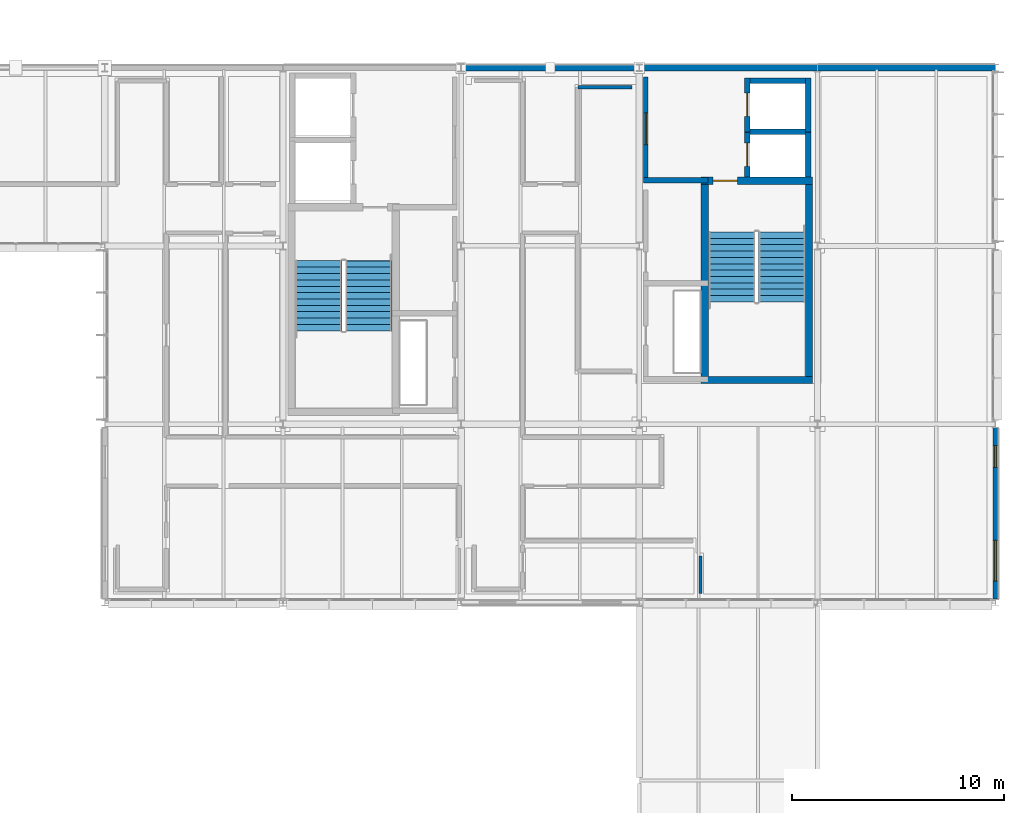
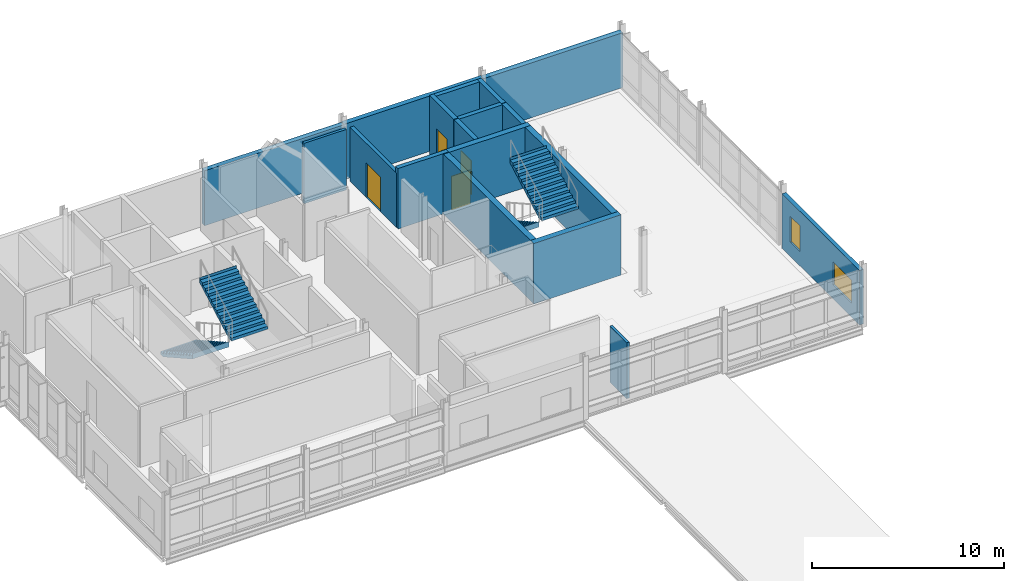
# One storey, part 50 of 57: 18 walls, 4 doors, 4 stair flights, 2 windows, 6 openings, 2 elements without a shape of their own.
"""IFC4 building model written with IfcOpenShell, lengths in metres."""

from ifc_helpers import new_model, si_unit, direction, frame, frame_2d, origin, place, context, subcontext, project, spatial, polyline, rectangle, outline, extrude, material, layer, layer_set, type_object, element, fill, aggregate, save


model = new_model("IFC4")

# Units and contexts
model_context = context("Model", 3, precision=1e-05, world=origin(), true_north=direction((0.0, 1.0)))
body_context = subcontext(model_context, "Body", "Model", "MODEL_VIEW")
ifc_project = project(units=[si_unit("LENGTHUNIT", "METRE"), si_unit("AREAUNIT", "SQUARE_METRE"), si_unit("VOLUMEUNIT", "CUBIC_METRE"), si_unit("PLANEANGLEUNIT", "RADIAN"), si_unit("MASSUNIT", "GRAM", prefix="KILO")], contexts=[model_context])

# Site, building, storey
site_placement = place(None, origin())
site = spatial("IfcSite", under=ifc_project, at=site_placement, CompositionType="ELEMENT")
building_placement = place(site_placement, origin())
building = spatial("IfcBuilding", under=site, at=building_placement, Name="Mersafa Astral City Hall", CompositionType="ELEMENT")
storey_placement = place(building_placement, frame((0.0, 0.0, 26.10009765625)))
storey = spatial("IfcBuildingStorey", under=building, at=storey_placement, Name="L06", CompositionType="ELEMENT", Elevation=26.10009765625)

# Wall, openings, windows
ifc_material_1 = material(Name="Precast concrete C40/50 insulated terracotta spandrel", Category="masonry")
ifc_layer_1 = layer(ifc_material_1, 0.235107421875, Name="Precast concrete C40/50 insulated terracotta spandrel")
ifc_layer_set_1 = layer_set([ifc_layer_1], Name="Precast concrete C40/50 insulated terracotta spandrel — ENV-WAL-EXT-235")
wall_type_1 = type_object("IfcWallType", Name="ENV-WAL-EXT-235", PredefinedType="STANDARD", material=ifc_layer_set_1)
wall_1_placement = place(storey_placement, frame((184.800048828125, 100.946044921875, 0.0), z_axis=(0.0, 0.0, 1.0), x_axis=(0.0, 1.0, 0.0)))
wall_1 = element("IfcWall", 1, at=wall_1_placement, inside=storey, type_object=wall_type_1, Name="L06 Limestone-clad exterior wall 365", PredefinedType="STANDARD", context=body_context, shape_type="SweptSolid", body=[
    extrude(rectangle(XDim=8.087890625, YDim=0.235107421875, at=frame_2d((4.0439453125, 0.0))), origin(), (0.0, 0.0, 1.0), 3.471923828125),
])
opening_1_placement = place(wall_1_placement, frame((0.85009765625, 0.0, 0.89990234375)))
opening_1 = element("IfcOpeningElement", 2, at=opening_1_placement, cuts=wall_1, Name="Opening W-30", PredefinedType="OPENING", context=body_context, shape_type="SweptSolid", body=[
    extrude(rectangle(XDim=1.919921875, YDim=1.449951171875, at=frame_2d((0.9599609375, 0.72509765625))), frame((0.0, 0.12744140625, 0.0), z_axis=(0.0, -1.0, 0.0), x_axis=(1.0, 0.0, 0.0)), (0.0, 0.0, 1.0), 0.255126953125),
])
opening_2_placement = place(wall_1_placement, frame((6.218017578125, 0.0, 0.89990234375)))
opening_2 = element("IfcOpeningElement", 3, at=opening_2_placement, cuts=wall_1, Name="Opening W-31", PredefinedType="OPENING", context=body_context, shape_type="SweptSolid", body=[
    extrude(rectangle(XDim=1.02001953125, YDim=1.64990234375, at=frame_2d((0.510009765625, 0.824951171875))), frame((0.0, 0.12744140625, 0.0), z_axis=(0.0, -1.0, 0.0), x_axis=(1.0, 0.0, 0.0)), (0.0, 0.0, 1.0), 0.255126953125),
])
ifc_material_2 = material(Name="Solar control low-e double glazing in bronze frame", Category="glass")
window_type_1 = type_object("IfcWindowType", Name="ENV-WIN-W-30", PartitioningType="SINGLE_PANEL", PredefinedType="WINDOW", material=ifc_material_2)
window_1_placement = place(opening_1_placement, origin())
window_1 = element("IfcWindow", 4, at=window_1_placement, inside=storey, type_object=window_type_1, Name="L06 Solar punched window 365-L", OverallHeight=1.449951171875, OverallWidth=1.919921875, PartitioningType="SINGLE_PANEL", PredefinedType="WINDOW", context=body_context, shape_type="SweptSolid", body=[
    extrude(rectangle(XDim=1.919921875, YDim=1.449951171875, at=frame_2d((0.9599609375, 0.72509765625))), frame((0.0, 0.030029296875, 0.0), z_axis=(0.0, -1.0, 0.0), x_axis=(1.0, 0.0, 0.0)), (0.0, 0.0, 1.0), 0.06005859375),
])
fill(opening_1, window_1)
window_type_2 = type_object("IfcWindowType", Name="ENV-WIN-W-31", PartitioningType="SINGLE_PANEL", PredefinedType="WINDOW", material=ifc_material_2)
window_2_placement = place(opening_2_placement, origin())
window_2 = element("IfcWindow", 5, at=window_2_placement, inside=storey, type_object=window_type_2, Name="L06 Solar punched window 365-R", OverallHeight=1.64990234375, OverallWidth=1.02001953125, PartitioningType="SINGLE_PANEL", PredefinedType="WINDOW", context=body_context, shape_type="SweptSolid", body=[
    extrude(rectangle(XDim=1.02001953125, YDim=1.64990234375, at=frame_2d((0.510009765625, 0.824951171875))), frame((0.0, 0.030029296875, 0.0), z_axis=(0.0, -1.0, 0.0), x_axis=(1.0, 0.0, 0.0)), (0.0, 0.0, 1.0), 0.06005859375),
])
fill(opening_2, window_2)

# Walls
ifc_material_3 = material(Name="Precast concrete C40/50 insulated limestone wall", Category="masonry")
ifc_layer_2 = layer(ifc_material_3, 0.280029296875, Name="Precast concrete C40/50 insulated limestone wall")
ifc_layer_set_2 = layer_set([ifc_layer_2], Name="Precast concrete C40/50 insulated limestone wall — ENV-WAL-EXT-280")
wall_type_2 = type_object("IfcWallType", Name="ENV-WAL-EXT-280", PredefinedType="STANDARD", material=ifc_layer_set_2)
wall_2_placement = place(storey_placement, frame((167.991943359375, 126.0, 0.0), z_axis=(0.0, 0.0, 1.0), x_axis=(-1.0, 0.0, 0.0)))
element("IfcWall", 6, at=wall_2_placement, inside=storey, type_object=wall_type_2, Name="L06 Limestone-clad exterior wall 368", PredefinedType="STANDARD", context=body_context, shape_type="SweptSolid", body=[
    extrude(rectangle(XDim=8.384033203125, YDim=0.280029296875, at=frame_2d((4.19189453125, 0.0))), origin(), (0.0, 0.0, 1.0), 3.496826171875),
])
ifc_layer_3 = layer(ifc_material_3, 0.294921875, Name="Precast concrete C40/50 insulated limestone wall")
ifc_layer_set_3 = layer_set([ifc_layer_3], Name="Precast concrete C40/50 insulated limestone wall — ENV-WAL-EXT-295")
wall_type_3 = type_object("IfcWallType", Name="ENV-WAL-EXT-295", PredefinedType="STANDARD", material=ifc_layer_set_3)
wall_3_placement = place(storey_placement, frame((176.39208984375, 126.0, 0.0), z_axis=(0.0, 0.0, 1.0), x_axis=(-1.0, 0.0, 0.0)))
element("IfcWall", 7, at=wall_3_placement, inside=storey, type_object=wall_type_3, Name="L06 Limestone-clad exterior wall 367", PredefinedType="STANDARD", context=body_context, shape_type="SweptSolid", body=[
    extrude(rectangle(XDim=8.384033203125, YDim=0.294921875, at=frame_2d((4.19189453125, 0.0))), origin(), (0.0, 0.0, 1.0), 3.52685546875),
])
ifc_layer_4 = layer(ifc_material_3, 0.31005859375, Name="Precast concrete C40/50 insulated limestone wall")
ifc_layer_set_4 = layer_set([ifc_layer_4], Name="Precast concrete C40/50 insulated limestone wall — ENV-WAL-EXT-310")
wall_type_4 = type_object("IfcWallType", Name="ENV-WAL-EXT-310", PredefinedType="STANDARD", material=ifc_layer_set_4)
wall_4_placement = place(storey_placement, frame((184.7919921875, 126.0, 0.0), z_axis=(0.0, 0.0, 1.0), x_axis=(-1.0, 0.0, 0.0)))
element("IfcWall", 8, at=wall_4_placement, inside=storey, type_object=wall_type_4, Name="L06 Limestone-clad exterior wall 366", PredefinedType="STANDARD", context=body_context, shape_type="SweptSolid", body=[
    extrude(rectangle(XDim=8.384033203125, YDim=0.31005859375, at=frame_2d((4.19189453125, 0.0))), origin(), (0.0, 0.0, 1.0), 3.496826171875),
])
ifc_material_4 = material(Name="Concrete C40/50", Category="concrete")
ifc_layer_5 = layer(ifc_material_4, 0.260009765625, Name="Concrete C40/50")
ifc_layer_set_5 = layer_set([ifc_layer_5], Name="Concrete C40/50 — INT-WAL-CORE-260")
wall_type_5 = type_object("IfcWallType", Name="INT-WAL-CORE-260", PredefinedType="SHEAR", material=ifc_layer_set_5)
wall_5_placement = place(storey_placement, frame((172.955078125, 122.9951171875, 0.0), z_axis=(0.0, 0.0, 1.0), x_axis=(1.0, 0.0, 0.0)))
element("IfcWall", 9, at=wall_5_placement, inside=storey, type_object=wall_type_5, Name="L06 Lift LF2 north shaft wall", PredefinedType="SHEAR", context=body_context, shape_type="SweptSolid", body=[
    extrude(rectangle(XDim=3.1298828125, YDim=0.260009765625, at=frame_2d((1.56494140625, 0.0))), origin(), (0.0, 0.0, 1.0), 3.849853515625),
])
wall_6_placement = place(storey_placement, frame((175.955078125, 120.846923828125, 0.0), z_axis=(0.0, 0.0, 1.0), x_axis=(0.0, 1.0, 0.0)))
element("IfcWall", 10, at=wall_6_placement, inside=storey, type_object=wall_type_5, Name="L06 Lift LF2 back shaft wall", PredefinedType="SHEAR", context=body_context, shape_type="SweptSolid", body=[
    extrude(rectangle(XDim=2.108154296875, YDim=0.260009765625, at=frame_2d((1.05419921875, 0.0))), origin(), (0.0, 0.0, 1.0), 3.849853515625),
])

# Wall, opening, door
wall_7_placement = place(storey_placement, frame((173.0849609375, 120.846923828125, 0.0), z_axis=(0.0, 0.0, 1.0), x_axis=(0.0, 1.0, 0.0)))
wall_7 = element("IfcWall", 11, at=wall_7_placement, inside=storey, type_object=wall_type_5, Name="L06 Lift LF2 front shaft wall", PredefinedType="SHEAR", context=body_context, shape_type="SweptSolid", body=[
    extrude(rectangle(XDim=2.108154296875, YDim=0.260009765625, at=frame_2d((1.05419921875, 0.0))), origin(), (0.0, 0.0, 1.0), 3.849853515625),
])
opening_3_placement = place(wall_7_placement, frame((0.50390625, 0.0, 0.0)))
opening_3 = element("IfcOpeningElement", 12, at=opening_3_placement, cuts=wall_7, Name="Opening LD-1", PredefinedType="OPENING", context=body_context, shape_type="SweptSolid", body=[
    extrude(rectangle(XDim=1.10009765625, YDim=2.14990234375, at=frame_2d((0.550048828125, 1.074951171875))), frame((0.0, 0.139892578125, 0.0), z_axis=(0.0, -1.0, 0.0), x_axis=(1.0, 0.0, 0.0)), (0.0, 0.0, 1.0), 0.280029296875),
])
ifc_material_5 = material(Name="Stainless steel sliding lift landing door", Category="steel")
door_type_1 = type_object("IfcDoorType", Name="INT-DR-LIFT-LD1", OperationType="NOTDEFINED", PredefinedType="DOOR", material=ifc_material_5)
door_1_placement = place(opening_3_placement, origin())
door_1 = element("IfcDoor", 13, at=door_1_placement, inside=storey, type_object=door_type_1, Name="Elevator LF2 Sliding Landing Door L06", OperationType="DOUBLE_DOOR_SLIDING", OverallHeight=2.14990234375, OverallWidth=1.10009765625, PredefinedType="DOOR", context=body_context, shape_type="SweptSolid", body=[
    extrude(rectangle(XDim=1.10009765625, YDim=2.14990234375, at=frame_2d((0.550048828125, 1.074951171875))), frame((0.0, 0.02490234375, 0.0), z_axis=(0.0, -1.0, 0.0), x_axis=(1.0, 0.0, 0.0)), (0.0, 0.0, 1.0), 0.050048828125),
])
fill(opening_3, door_1)

# Walls
wall_8_placement = place(storey_placement, frame((172.955078125, 125.39501953125, 0.0), z_axis=(0.0, 0.0, 1.0), x_axis=(1.0, 0.0, 0.0)))
element("IfcWall", 14, at=wall_8_placement, inside=storey, type_object=wall_type_5, Name="L06 Lift LF4 north shaft wall", PredefinedType="SHEAR", context=body_context, shape_type="SweptSolid", body=[
    extrude(rectangle(XDim=3.1298828125, YDim=0.260009765625, at=frame_2d((1.56494140625, 0.0))), origin(), (0.0, 0.0, 1.0), 3.849853515625),
])
wall_9_placement = place(storey_placement, frame((175.955078125, 122.985107421875, 0.0), z_axis=(0.0, 0.0, 1.0), x_axis=(0.0, 1.0, 0.0)))
element("IfcWall", 15, at=wall_9_placement, inside=storey, type_object=wall_type_5, Name="L06 Lift LF4 back shaft wall", PredefinedType="SHEAR", context=body_context, shape_type="SweptSolid", body=[
    extrude(rectangle(XDim=2.539794921875, YDim=0.260009765625, at=frame_2d((1.27001953125, 0.0))), origin(), (0.0, 0.0, 1.0), 3.849853515625),
])

# Wall, opening, door
wall_10_placement = place(storey_placement, frame((173.0849609375, 122.985107421875, 0.0), z_axis=(0.0, 0.0, 1.0), x_axis=(0.0, 1.0, 0.0)))
wall_10 = element("IfcWall", 16, at=wall_10_placement, inside=storey, type_object=wall_type_5, Name="L06 Lift LF4 front shaft wall", PredefinedType="SHEAR", context=body_context, shape_type="SweptSolid", body=[
    extrude(rectangle(XDim=2.539794921875, YDim=0.260009765625, at=frame_2d((1.27001953125, 0.0))), origin(), (0.0, 0.0, 1.0), 3.849853515625),
])
opening_4_placement = place(wall_10_placement, frame((0.719970703125, 0.0, 0.0)))
opening_4 = element("IfcOpeningElement", 17, at=opening_4_placement, cuts=wall_10, Name="Opening LD-1", PredefinedType="OPENING", context=body_context, shape_type="SweptSolid", body=[
    extrude(rectangle(XDim=1.10009765625, YDim=2.14990234375, at=frame_2d((0.550048828125, 1.074951171875))), frame((0.0, 0.139892578125, 0.0), z_axis=(0.0, -1.0, 0.0), x_axis=(1.0, 0.0, 0.0)), (0.0, 0.0, 1.0), 0.280029296875),
])
door_2_placement = place(opening_4_placement, origin())
door_2 = element("IfcDoor", 18, at=door_2_placement, inside=storey, type_object=door_type_1, Name="Elevator LF4 Sliding Landing Door L06", OperationType="DOUBLE_DOOR_SLIDING", OverallHeight=2.14990234375, OverallWidth=1.10009765625, PredefinedType="DOOR", context=body_context, shape_type="SweptSolid", body=[
    extrude(rectangle(XDim=1.10009765625, YDim=2.14990234375, at=frame_2d((0.550048828125, 1.074951171875))), frame((0.0, 0.02490234375, 0.0), z_axis=(0.0, -1.0, 0.0), x_axis=(1.0, 0.0, 0.0)), (0.0, 0.0, 1.0), 0.050048828125),
])
fill(opening_4, door_2)

# Walls
wall_11_placement = place(storey_placement, frame((168.199951171875, 120.68994140625, 0.0), z_axis=(0.0, 0.0, 1.0), x_axis=(1.0, 0.0, 0.0)))
element("IfcWall", 19, at=wall_11_placement, inside=storey, type_object=wall_type_5, Name="L06 Core K2 restroom-lobby divider wall", PredefinedType="SHEAR", context=body_context, shape_type="SweptSolid", body=[
    extrude(rectangle(XDim=3.03515625, YDim=0.260009765625, at=frame_2d((1.517578125, 0.0))), origin(), (0.0, 0.0, 1.0), 3.849853515625),
])
ifc_layer_6 = layer(ifc_material_4, 0.340087890625, Name="Concrete C40/50")
ifc_layer_set_6 = layer_set([ifc_layer_6], Name="Concrete C40/50 — INT-WAL-CORE-340")
wall_type_6 = type_object("IfcWallType", Name="INT-WAL-CORE-340", PredefinedType="SHEAR", material=ifc_layer_set_6)
for number, where, z_axis, x_axis, name in (
    (20, (171.0849609375, 111.10498046875, 0.0), (0.0, 0.0, 1.0), (0.0, 1.0, 0.0), "L06 Core K2 stair west shear wall"),
    (21, (175.9951171875, 111.10498046875, 0.0), (0.0, 0.0, 1.0), (0.0, 1.0, 0.0), "L06 Core K2 stair east shear wall"),
):
    element("IfcWall", number, at=place(storey_placement, frame(where, z_axis=z_axis, x_axis=x_axis)), inside=storey, type_object=wall_type_6, Name=name, PredefinedType="SHEAR", context=body_context, shape_type="SweptSolid", body=[
        extrude(rectangle(XDim=9.739990234375, YDim=0.340087890625, at=frame_2d((4.8701171875, 0.0))), origin(), (0.0, 0.0, 1.0), 3.849853515625),
    ])
wall_12_placement = place(storey_placement, frame((170.9150390625, 111.27490234375, 0.0), z_axis=(0.0, 0.0, 1.0), x_axis=(1.0, 0.0, 0.0)))
element("IfcWall", 22, at=wall_12_placement, inside=storey, type_object=wall_type_6, Name="L06 Core K2 stair south shear wall", PredefinedType="SHEAR", context=body_context, shape_type="SweptSolid", body=[
    extrude(rectangle(XDim=5.25, YDim=0.340087890625, at=frame_2d((2.625, 0.0))), origin(), (0.0, 0.0, 1.0), 3.849853515625),
])

# Wall, opening, door
wall_13_placement = place(storey_placement, frame((170.9150390625, 120.675048828125, 0.0), z_axis=(0.0, 0.0, 1.0), x_axis=(1.0, 0.0, 0.0)))
wall_13 = element("IfcWall", 23, at=wall_13_placement, inside=storey, type_object=wall_type_6, Name="L06 Core K2 stair-lobby fire wall", PredefinedType="SHEAR", context=body_context, shape_type="SweptSolid", body=[
    extrude(rectangle(XDim=5.25, YDim=0.340087890625, at=frame_2d((2.625, 0.0))), origin(), (0.0, 0.0, 1.0), 3.849853515625),
])
opening_5_placement = place(wall_13_placement, frame((0.56494140625, 0.0, 0.0)))
opening_5 = element("IfcOpeningElement", 24, at=opening_5_placement, cuts=wall_13, Name="Opening CD-1", PredefinedType="OPENING", context=body_context, shape_type="SweptSolid", body=[
    extrude(rectangle(XDim=1.14990234375, YDim=2.14990234375, at=frame_2d((0.574951171875, 1.074951171875))), frame((0.0, 0.179931640625, 0.0), z_axis=(0.0, -1.0, 0.0), x_axis=(1.0, 0.0, 0.0)), (0.0, 0.0, 1.0), 0.360107421875),
])
ifc_material_6 = material(Name="Fire-rated steel stair door", Category="steel")
door_type_2 = type_object("IfcDoorType", Name="INT-DR-STAIR-FD90-1150", OperationType="NOTDEFINED", PredefinedType="DOOR", material=ifc_material_6)
door_3_placement = place(opening_5_placement, origin())
door_3 = element("IfcDoor", 25, at=door_3_placement, inside=storey, type_object=door_type_2, Name="L06 Protected Stair ST2 Door", OperationType="SINGLE_SWING_LEFT", OverallHeight=2.14990234375, OverallWidth=1.14990234375, PredefinedType="DOOR", context=body_context, shape_type="SweptSolid", body=[
    extrude(rectangle(XDim=1.14990234375, YDim=2.14990234375, at=frame_2d((0.574951171875, 1.074951171875))), frame((0.0, 0.02490234375, 0.0), z_axis=(0.0, -1.0, 0.0), x_axis=(1.0, 0.0, 0.0)), (0.0, 0.0, 1.0), 0.050048828125),
])
fill(opening_5, door_3)

# Walls
ifc_material_7 = material(Name="Acoustic steel-stud gypsum partition", Category="steel")
ifc_layer_7 = layer(ifc_material_7, 0.14990234375, Name="Acoustic steel-stud gypsum partition")
ifc_layer_set_7 = layer_set([ifc_layer_7], Name="Acoustic steel-stud gypsum partition — INT-WAL-PART-EI30-150")
wall_type_7 = type_object("IfcWallType", Name="INT-WAL-PART-EI30-150", PredefinedType="STANDARD", material=ifc_layer_set_7)
wall_14_placement = place(storey_placement, frame((170.889892578125, 101.219970703125, -0.004150390625), z_axis=(0.0, 0.0, 1.0), x_axis=(0.0, 1.0, 0.0)))
element("IfcWall", 26, at=wall_14_placement, inside=storey, type_object=wall_type_7, Name="L06 Interior partition wall 804", PredefinedType="STANDARD", context=body_context, shape_type="SweptSolid", body=[
    extrude(rectangle(XDim=1.77001953125, YDim=0.14990234375, at=frame_2d((0.885009765625, 0.0))), origin(), (0.0, 0.0, 1.0), 3.566162109375),
])
ifc_material_8 = material(Name="Fire-rated gypsum stud partition", Category="gypsum")
ifc_layer_8 = layer(ifc_material_8, 0.1650390625, Name="Fire-rated gypsum stud partition")
ifc_layer_set_8 = layer_set([ifc_layer_8], Name="Fire-rated gypsum stud partition — INT-WAL-PART-EI60-165")
wall_type_8 = type_object("IfcWallType", Name="INT-WAL-PART-EI60-165", PredefinedType="STANDARD", material=ifc_layer_set_8)
wall_15_placement = place(storey_placement, frame((167.659912109375, 125.080078125, -0.004150390625), z_axis=(0.0, 0.0, 1.0), x_axis=(-1.0, 0.0, 0.0)))
element("IfcWall", 27, at=wall_15_placement, inside=storey, type_object=wall_type_8, Name="L06 Interior partition wall 859", PredefinedType="STANDARD", context=body_context, shape_type="SweptSolid", body=[
    extrude(rectangle(XDim=2.559814453125, YDim=0.1650390625, at=frame_2d((1.27978515625, 0.0))), origin(), (0.0, 0.0, 1.0), 3.85400390625),
])

# Wall, opening, door
ifc_material_9 = material(Name="Autoclaved aerated concrete blockwork plastered", Category="masonry")
ifc_layer_9 = layer(ifc_material_9, 0.2099609375, Name="Autoclaved aerated concrete blockwork plastered")
ifc_layer_set_9 = layer_set([ifc_layer_9], Name="Autoclaved aerated concrete blockwork plastered — INT-WAL-PART-EI60-210")
wall_type_9 = type_object("IfcWallType", Name="INT-WAL-PART-EI60-210", PredefinedType="STANDARD", material=ifc_layer_set_9)
wall_16_placement = place(storey_placement, frame((168.300048828125, 120.699951171875, 0.0), z_axis=(0.0, 0.0, 1.0), x_axis=(0.0, 1.0, 0.0)))
wall_16 = element("IfcWall", 28, at=wall_16_placement, inside=storey, type_object=wall_type_9, Name="L06 Core K2 lobby corridor partition", PredefinedType="STANDARD", context=body_context, shape_type="SweptSolid", body=[
    extrude(rectangle(XDim=4.860107421875, YDim=0.2099609375, at=frame_2d((2.43017578125, 0.0))), origin(), (0.0, 0.0, 1.0), 3.456787109375),
])
opening_6_placement = place(wall_16_placement, frame((1.679931640625, 0.0, 0.0)))
opening_6 = element("IfcOpeningElement", 29, at=opening_6_placement, cuts=wall_16, Name="Opening CD-3", PredefinedType="OPENING", context=body_context, shape_type="SweptSolid", body=[
    extrude(rectangle(XDim=1.5, YDim=2.199951171875, at=frame_2d((0.75, 1.10009765625))), frame((0.0, 0.114990234375, 0.0), z_axis=(0.0, -1.0, 0.0), x_axis=(1.0, 0.0, 0.0)), (0.0, 0.0, 1.0), 0.22998046875),
])
ifc_material_10 = material(Name="Fire-rated glazed lobby door pair", Category="metal")
door_type_3 = type_object("IfcDoorType", Name="INT-DR-LOBBY-FD90-1500", OperationType="NOTDEFINED", PredefinedType="DOOR", material=ifc_material_10)
door_4_placement = place(opening_6_placement, origin())
door_4 = element("IfcDoor", 30, at=door_4_placement, inside=storey, type_object=door_type_3, Name="L06 K2 Lift Lobby Fire Door", OperationType="DOUBLE_DOOR_SINGLE_SWING", OverallHeight=2.199951171875, OverallWidth=1.5, PredefinedType="DOOR", context=body_context, shape_type="SweptSolid", body=[
    extrude(rectangle(XDim=1.5, YDim=2.199951171875, at=frame_2d((0.75, 1.10009765625))), frame((0.0, 0.02490234375, 0.0), z_axis=(0.0, -1.0, 0.0), x_axis=(1.0, 0.0, 0.0)), (0.0, 0.0, 1.0), 0.050048828125),
])
fill(opening_6, door_4)

# Stair, stair flights
stair_type = type_object("IfcStairType", Name="STAIR", PredefinedType="HALF_TURN_STAIR", material=ifc_material_4)
stair_1_placement = place(storey_placement, origin())
stair_1 = element("IfcStair", 31, at=stair_1_placement, inside=storey, type_object=stair_type, Name="L06 Protected Exit Stair ST1", PredefinedType="HALF_TURN_STAIR")
stair_flight_type = type_object("IfcStairFlightType", Name="STAIR-FLIGHT", PredefinedType="STRAIGHT", material=ifc_material_4)
stair_flight_1_placement = place(storey_placement, frame((152.8798828125, 116.89990234375, 0.0), z_axis=(0.0, 0.0, 1.0), x_axis=(0.0, -1.0, 0.0)))
stair_flight_1 = element("IfcStairFlight", 32, at=stair_flight_1_placement, type_object=stair_flight_type, Name="ST1 flight 1", NumberOfRisers=12, NumberOfTreads=11, PredefinedType="STRAIGHT", RiserHeight=0.16875, TreadLength=0.3, context=body_context, shape_type="SweptSolid", body=[
    extrude(outline(polyline([(-0.008056640625, -0.02197265625), (-0.008056640625, -0.010009765625), (-0.008056640625, 0.001953125), (-0.008056640625, 0.013671875), (-0.008056640625, 0.025634765625), (-0.008056640625, 0.03759765625), (-0.008056640625, 0.049560546875), (-0.008056640625, 0.0615234375), (-0.008056640625, 0.073486328125), (-0.008056640625, 0.085205078125), (-0.008056640625, 0.09716796875), (-0.008056640625, 0.109130859375), (-0.008056640625, 0.12109375), (-0.008056640625, 0.133056640625), (-0.008056640625, 0.14501953125), (-0.008056640625, 0.15673828125), (-0.008056640625, 0.168701171875), (0.300048828125, 0.168701171875), (0.300048828125, 0.33740234375), (0.60009765625, 0.33740234375), (0.60009765625, 0.50634765625), (0.89990234375, 0.50634765625), (0.89990234375, 0.675048828125), (1.199951171875, 0.675048828125), (1.199951171875, 0.84375), (1.5, 0.84375), (1.5, 1.012451171875), (1.800048828125, 1.012451171875), (1.800048828125, 1.18115234375), (2.10009765625, 1.18115234375), (2.10009765625, 1.35009765625), (2.39990234375, 1.35009765625), (2.39990234375, 1.518798828125), (2.699951171875, 1.518798828125), (2.699951171875, 1.6875), (3.0, 1.6875), (3.0, 1.856201171875), (3.300048828125, 1.856201171875), (3.300048828125, 2.02490234375), (3.30810546875, 2.02490234375), (3.30810546875, 2.003662109375), (3.30810546875, 1.982421875), (3.30810546875, 1.961181640625), (3.30810546875, 1.939697265625), (3.30810546875, 1.91845703125), (3.30810546875, 1.897216796875), (3.30810546875, 1.8759765625), (3.30810546875, 1.854736328125), (3.30810546875, 1.833251953125), (3.30810546875, 1.81201171875), (3.30810546875, 1.790771484375), (3.30810546875, 1.76953125), (3.30810546875, 1.748046875), (3.30810546875, 1.726806640625), (3.30810546875, 1.70556640625), (3.30810546875, 1.684326171875), (0.2666015625, -0.02197265625), (-0.008056640625, -0.02197265625)])), frame((0.0, 1.10009765625, 0.0), z_axis=(0.0, -1.0, 0.0), x_axis=(1.0, 0.0, 0.0)), (0.0, 0.0, 1.0), 2.199951171875),
])
stair_flight_2_placement = place(storey_placement, frame((155.239990234375, 113.60009765625, 2.02490234375), z_axis=(0.0, 0.0, 1.0), x_axis=(0.0, 1.0, 0.0)))
stair_flight_2 = element("IfcStairFlight", 33, at=stair_flight_2_placement, type_object=stair_flight_type, Name="ST1 flight 2", NumberOfRisers=12, NumberOfTreads=11, PredefinedType="STRAIGHT", RiserHeight=0.16875, TreadLength=0.3, context=body_context, shape_type="SweptSolid", body=[
    extrude(outline(polyline([(-0.008056640625, -0.02197265625), (-0.008056640625, -0.010009765625), (-0.008056640625, 0.001953125), (-0.008056640625, 0.013671875), (-0.008056640625, 0.025634765625), (-0.008056640625, 0.03759765625), (-0.008056640625, 0.049560546875), (-0.008056640625, 0.0615234375), (-0.008056640625, 0.073486328125), (-0.008056640625, 0.085205078125), (-0.008056640625, 0.09716796875), (-0.008056640625, 0.109130859375), (-0.008056640625, 0.12109375), (-0.008056640625, 0.133056640625), (-0.008056640625, 0.14501953125), (-0.008056640625, 0.15673828125), (-0.008056640625, 0.168701171875), (0.300048828125, 0.168701171875), (0.300048828125, 0.33740234375), (0.60009765625, 0.33740234375), (0.60009765625, 0.50634765625), (0.89990234375, 0.50634765625), (0.89990234375, 0.675048828125), (1.199951171875, 0.675048828125), (1.199951171875, 0.84375), (1.5, 0.84375), (1.5, 1.012451171875), (1.800048828125, 1.012451171875), (1.800048828125, 1.18115234375), (2.10009765625, 1.18115234375), (2.10009765625, 1.35009765625), (2.39990234375, 1.35009765625), (2.39990234375, 1.518798828125), (2.699951171875, 1.518798828125), (2.699951171875, 1.6875), (3.0, 1.6875), (3.0, 1.856201171875), (3.300048828125, 1.856201171875), (3.300048828125, 2.02490234375), (3.30810546875, 2.02490234375), (3.30810546875, 2.003662109375), (3.30810546875, 1.982421875), (3.30810546875, 1.961181640625), (3.30810546875, 1.939697265625), (3.30810546875, 1.91845703125), (3.30810546875, 1.897216796875), (3.30810546875, 1.8759765625), (3.30810546875, 1.854736328125), (3.30810546875, 1.833251953125), (3.30810546875, 1.81201171875), (3.30810546875, 1.790771484375), (3.30810546875, 1.76953125), (3.30810546875, 1.748046875), (3.30810546875, 1.726806640625), (3.30810546875, 1.70556640625), (3.30810546875, 1.684326171875), (0.2666015625, -0.02197265625), (-0.008056640625, -0.02197265625)])), frame((0.0, 1.10009765625, 0.0), z_axis=(0.0, -1.0, 0.0), x_axis=(1.0, 0.0, 0.0)), (0.0, 0.0, 1.0), 2.199951171875),
])
aggregate(stair_1, [stair_flight_1, stair_flight_2])

stair_2_placement = place(storey_placement, origin())
stair_2 = element("IfcStair", 34, at=stair_2_placement, inside=storey, type_object=stair_type, Name="L06 Protected Exit Stair ST2", PredefinedType="HALF_TURN_STAIR")
stair_flight_3_placement = place(storey_placement, frame((172.360107421875, 118.260009765625, 0.0), z_axis=(0.0, 0.0, 1.0), x_axis=(0.0, -1.0, 0.0)))
stair_flight_3 = element("IfcStairFlight", 35, at=stair_flight_3_placement, type_object=stair_flight_type, Name="ST2 flight 1", NumberOfRisers=12, NumberOfTreads=11, PredefinedType="STRAIGHT", RiserHeight=0.16875, TreadLength=0.3, context=body_context, shape_type="SweptSolid", body=[
    extrude(outline(polyline([(-0.008056640625, -0.02197265625), (-0.008056640625, -0.010009765625), (-0.008056640625, 0.001953125), (-0.008056640625, 0.013671875), (-0.008056640625, 0.025634765625), (-0.008056640625, 0.03759765625), (-0.008056640625, 0.049560546875), (-0.008056640625, 0.0615234375), (-0.008056640625, 0.073486328125), (-0.008056640625, 0.085205078125), (-0.008056640625, 0.09716796875), (-0.008056640625, 0.109130859375), (-0.008056640625, 0.12109375), (-0.008056640625, 0.133056640625), (-0.008056640625, 0.14501953125), (-0.008056640625, 0.15673828125), (-0.008056640625, 0.168701171875), (0.300048828125, 0.168701171875), (0.300048828125, 0.33740234375), (0.60009765625, 0.33740234375), (0.60009765625, 0.50634765625), (0.89990234375, 0.50634765625), (0.89990234375, 0.675048828125), (1.199951171875, 0.675048828125), (1.199951171875, 0.84375), (1.5, 0.84375), (1.5, 1.012451171875), (1.800048828125, 1.012451171875), (1.800048828125, 1.18115234375), (2.10009765625, 1.18115234375), (2.10009765625, 1.35009765625), (2.39990234375, 1.35009765625), (2.39990234375, 1.518798828125), (2.699951171875, 1.518798828125), (2.699951171875, 1.6875), (3.0, 1.6875), (3.0, 1.856201171875), (3.300048828125, 1.856201171875), (3.300048828125, 2.02490234375), (3.30810546875, 2.02490234375), (3.30810546875, 2.003662109375), (3.30810546875, 1.982421875), (3.30810546875, 1.961181640625), (3.30810546875, 1.939697265625), (3.30810546875, 1.91845703125), (3.30810546875, 1.897216796875), (3.30810546875, 1.8759765625), (3.30810546875, 1.854736328125), (3.30810546875, 1.833251953125), (3.30810546875, 1.81201171875), (3.30810546875, 1.790771484375), (3.30810546875, 1.76953125), (3.30810546875, 1.748046875), (3.30810546875, 1.726806640625), (3.30810546875, 1.70556640625), (3.30810546875, 1.684326171875), (0.2666015625, -0.02197265625), (-0.008056640625, -0.02197265625)])), frame((0.0, 1.10009765625, 0.0), z_axis=(0.0, -1.0, 0.0), x_axis=(1.0, 0.0, 0.0)), (0.0, 0.0, 1.0), 2.199951171875),
])
stair_flight_4_placement = place(storey_placement, frame((174.719970703125, 114.9599609375, 2.02490234375), z_axis=(0.0, 0.0, 1.0), x_axis=(0.0, 1.0, 0.0)))
stair_flight_4 = element("IfcStairFlight", 36, at=stair_flight_4_placement, type_object=stair_flight_type, Name="ST2 flight 2", NumberOfRisers=12, NumberOfTreads=11, PredefinedType="STRAIGHT", RiserHeight=0.16875, TreadLength=0.3, context=body_context, shape_type="SweptSolid", body=[
    extrude(outline(polyline([(-0.008056640625, -0.02197265625), (-0.008056640625, -0.010009765625), (-0.008056640625, 0.001953125), (-0.008056640625, 0.013671875), (-0.008056640625, 0.025634765625), (-0.008056640625, 0.03759765625), (-0.008056640625, 0.049560546875), (-0.008056640625, 0.0615234375), (-0.008056640625, 0.073486328125), (-0.008056640625, 0.085205078125), (-0.008056640625, 0.09716796875), (-0.008056640625, 0.109130859375), (-0.008056640625, 0.12109375), (-0.008056640625, 0.133056640625), (-0.008056640625, 0.14501953125), (-0.008056640625, 0.15673828125), (-0.008056640625, 0.168701171875), (0.300048828125, 0.168701171875), (0.300048828125, 0.33740234375), (0.60009765625, 0.33740234375), (0.60009765625, 0.50634765625), (0.89990234375, 0.50634765625), (0.89990234375, 0.675048828125), (1.199951171875, 0.675048828125), (1.199951171875, 0.84375), (1.5, 0.84375), (1.5, 1.012451171875), (1.800048828125, 1.012451171875), (1.800048828125, 1.18115234375), (2.10009765625, 1.18115234375), (2.10009765625, 1.35009765625), (2.39990234375, 1.35009765625), (2.39990234375, 1.518798828125), (2.699951171875, 1.518798828125), (2.699951171875, 1.6875), (3.0, 1.6875), (3.0, 1.856201171875), (3.300048828125, 1.856201171875), (3.300048828125, 2.02490234375), (3.30810546875, 2.02490234375), (3.30810546875, 2.003662109375), (3.30810546875, 1.982421875), (3.30810546875, 1.961181640625), (3.30810546875, 1.939697265625), (3.30810546875, 1.91845703125), (3.30810546875, 1.897216796875), (3.30810546875, 1.8759765625), (3.30810546875, 1.854736328125), (3.30810546875, 1.833251953125), (3.30810546875, 1.81201171875), (3.30810546875, 1.790771484375), (3.30810546875, 1.76953125), (3.30810546875, 1.748046875), (3.30810546875, 1.726806640625), (3.30810546875, 1.70556640625), (3.30810546875, 1.684326171875), (0.2666015625, -0.02197265625), (-0.008056640625, -0.02197265625)])), frame((0.0, 1.10009765625, 0.0), z_axis=(0.0, -1.0, 0.0), x_axis=(1.0, 0.0, 0.0)), (0.0, 0.0, 1.0), 2.199951171875),
])
aggregate(stair_2, [stair_flight_3, stair_flight_4])

save(model, "model.ifc")
